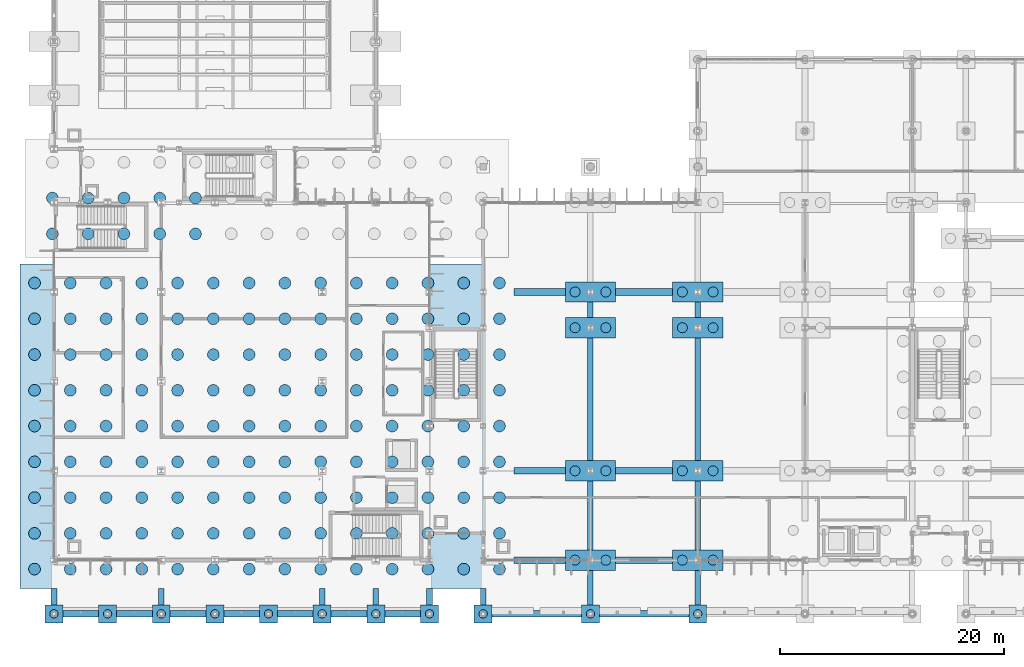
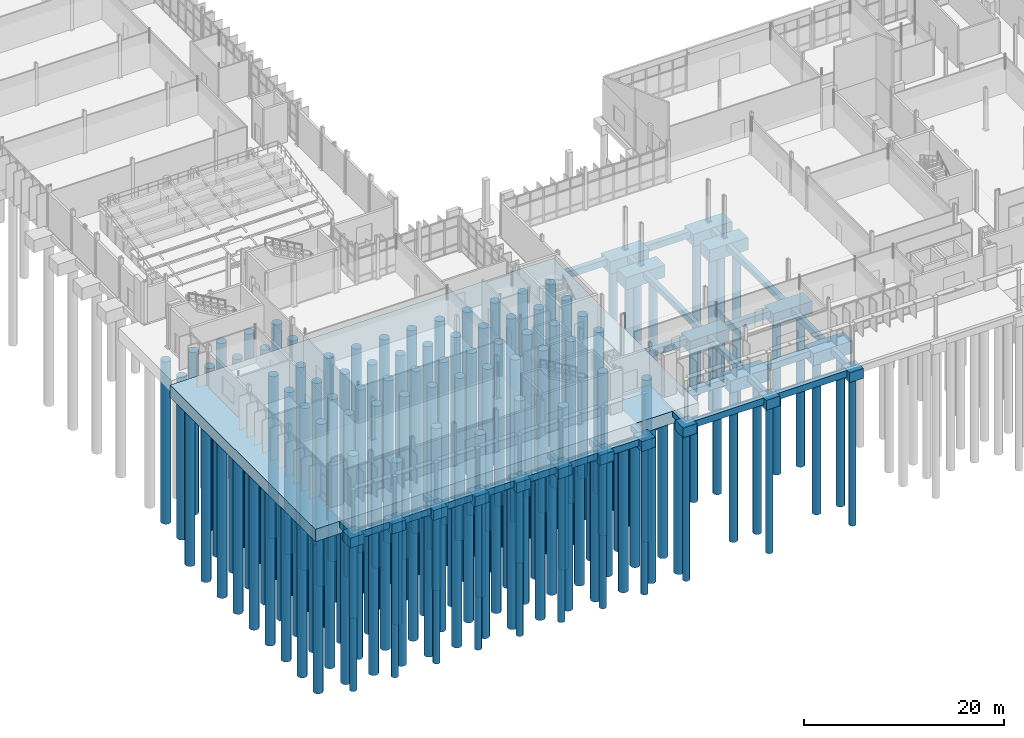
# One storey, part 1 of 111: 163 piles, 49 footings.
"""IFC4 building model written with IfcOpenShell, lengths in metres."""

from ifc_helpers import new_model, si_unit, direction, frame, origin, origin_2d, place, context, subcontext, project, spatial, rectangle, circle, extrude, material, material_profile, profile_set, type_object, element, save


model = new_model("IFC4")

# Units and contexts
model_context = context("Model", 3, precision=1e-05, world=origin(), true_north=direction((0.0, 1.0)))
body_context = subcontext(model_context, "Body", "Model", "MODEL_VIEW")
ifc_project = project(units=[si_unit("LENGTHUNIT", "METRE"), si_unit("AREAUNIT", "SQUARE_METRE"), si_unit("VOLUMEUNIT", "CUBIC_METRE"), si_unit("PLANEANGLEUNIT", "RADIAN"), si_unit("MASSUNIT", "GRAM", prefix="KILO")], contexts=[model_context])

# Site, building, storey
site_placement = place(None, origin())
site = spatial("IfcSite", under=ifc_project, at=site_placement, CompositionType="ELEMENT")
building_placement = place(site_placement, origin())
building = spatial("IfcBuilding", under=site, at=building_placement, Name="Dunescarp Central Library", CompositionType="ELEMENT")
storey_placement = place(building_placement, origin())
storey = spatial("IfcBuildingStorey", under=building, at=storey_placement, Name="L00", CompositionType="ELEMENT", Elevation=0.0)

# Footings
ifc_material_1 = material(Name="Concrete C35/45", Category="concrete")
footing_type_1 = type_object("IfcFootingType", Name="STR-GB-EW-3200", PredefinedType="FOOTING_BEAM", material=ifc_material_1)
for number, where, z_axis, x_axis, name in (
    (1, (2.39990234375, 0.0, -1.10009765625), (0.0, 0.0, 1.0), (1.0, 0.0, 0.0), "Ground tie beam GB-001"),
    (2, (7.199951171875, 0.0, -1.10009765625), (0.0, 0.0, 1.0), (1.0, 0.0, 0.0), "Ground tie beam GB-002"),
    (3, (12.0, 0.0, -1.10009765625), (0.0, 0.0, 1.0), (1.0, 0.0, 0.0), "Ground tie beam GB-003"),
    (4, (16.800048828125, 0.0, -1.10009765625), (0.0, 0.0, 1.0), (1.0, 0.0, 0.0), "Ground tie beam GB-004"),
    (5, (21.60009765625, 0.0, -1.10009765625), (0.0, 0.0, 1.0), (1.0, 0.0, 0.0), "Ground tie beam GB-005"),
    (6, (26.39990234375, 0.0, -1.10009765625), (0.0, 0.0, 1.0), (1.0, 0.0, 0.0), "Ground tie beam GB-006"),
    (7, (31.199951171875, 0.0, -1.10009765625), (0.0, 0.0, 1.0), (1.0, 0.0, 0.0), "Ground tie beam GB-007"),
):
    element("IfcFooting", number, at=place(storey_placement, frame(where, z_axis=z_axis, x_axis=x_axis)), inside=storey, type_object=footing_type_1, Name=name, PredefinedType="FOOTING_BEAM", context=body_context, shape_type="SweptSolid", body=[
        extrude(rectangle(XDim=3.199951171875, YDim=0.60009765625, at=origin_2d()), origin(), (0.0, 0.0, 1.0), 0.800048828125),
    ])
footing_type_2 = type_object("IfcFootingType", Name="STR-GB-EW-4590", PredefinedType="FOOTING_BEAM", material=ifc_material_1)
for number, where, z_axis, x_axis, name in (
    (8, (43.4560546875, 4.800048828125, -1.10009765625), (0.0, 0.0, 1.0), (1.0, 0.0, 0.0), "Ground tie beam GB-021"),
    (9, (43.4560546875, 12.800048828125, -1.10009765625), (0.0, 0.0, 1.0), (1.0, 0.0, 0.0), "Ground tie beam GB-032"),
    (10, (43.4560546875, 28.800048828125, -1.10009765625), (0.0, 0.0, 1.0), (1.0, 0.0, 0.0), "Ground tie beam GB-055"),
):
    element("IfcFooting", number, at=place(storey_placement, frame(where, z_axis=z_axis, x_axis=x_axis)), inside=storey, type_object=footing_type_2, Name=name, PredefinedType="FOOTING_BEAM", context=body_context, shape_type="SweptSolid", body=[
        extrude(rectangle(XDim=4.5869140625, YDim=0.60009765625, at=origin_2d()), origin(), (0.0, 0.0, 1.0), 0.800048828125),
    ])
footing_type_3 = type_object("IfcFootingType", Name="STR-GB-EW-5100", PredefinedType="FOOTING_BEAM", material=ifc_material_1)
for number, where, z_axis, x_axis, name in (
    (11, (52.800048828125, 4.800048828125, -1.10009765625), (0.0, 0.0, 1.0), (1.0, 0.0, 0.0), "Ground tie beam GB-022"),
    (12, (52.800048828125, 12.800048828125, -1.10009765625), (0.0, 0.0, 1.0), (1.0, 0.0, 0.0), "Ground tie beam GB-033"),
    (13, (52.800048828125, 28.800048828125, -1.10009765625), (0.0, 0.0, 1.0), (1.0, 0.0, 0.0), "Ground tie beam GB-056"),
):
    element("IfcFooting", number, at=place(storey_placement, frame(where, z_axis=z_axis, x_axis=x_axis)), inside=storey, type_object=footing_type_3, Name=name, PredefinedType="FOOTING_BEAM", context=body_context, shape_type="SweptSolid", body=[
        extrude(rectangle(XDim=5.10009765625, YDim=0.60009765625, at=origin_2d()), origin(), (0.0, 0.0, 1.0), 0.800048828125),
    ])
footing_type_4 = type_object("IfcFootingType", Name="STR-GB-EW-8000", PredefinedType="FOOTING_BEAM", material=ifc_material_1)
for number, where, z_axis, x_axis, name in (
    (14, (43.199951171875, 0.0, -1.10009765625), (0.0, 0.0, 1.0), (1.0, 0.0, 0.0), "Ground tie beam GB-008"),
    (15, (52.800048828125, 0.0, -1.10009765625), (0.0, 0.0, 1.0), (1.0, 0.0, 0.0), "Ground tie beam GB-009"),
):
    element("IfcFooting", number, at=place(storey_placement, frame(where, z_axis=z_axis, x_axis=x_axis)), inside=storey, type_object=footing_type_4, Name=name, PredefinedType="FOOTING_BEAM", context=body_context, shape_type="SweptSolid", body=[
        extrude(rectangle(XDim=8.0, YDim=0.60009765625, at=origin_2d()), origin(), (0.0, 0.0, 1.0), 0.800048828125),
    ])
footing_type_5 = type_object("IfcFootingType", Name="STR-GB-NS-11000", PredefinedType="FOOTING_BEAM", material=ifc_material_1)
for number, where, z_axis, x_axis, name in (
    (16, (48.0, 19.199951171875, -1.0), (0.0, 0.0, 1.0), (0.0, 1.0, 0.0), "Ground tie beam GB-129"),
    (17, (57.60009765625, 19.199951171875, -1.0), (0.0, 0.0, 1.0), (0.0, 1.0, 0.0), "Ground tie beam GB-134"),
):
    element("IfcFooting", number, at=place(storey_placement, frame(where, z_axis=z_axis, x_axis=x_axis)), inside=storey, type_object=footing_type_5, Name=name, PredefinedType="FOOTING_BEAM", context=body_context, shape_type="SweptSolid", body=[
        extrude(rectangle(XDim=11.0, YDim=0.5, at=origin_2d()), origin(), (0.0, 0.0, 1.0), 0.699951171875),
    ])
footing_type_6 = type_object("IfcFootingType", Name="STR-GB-NS-1400", PredefinedType="FOOTING_BEAM", material=ifc_material_1)
for number, where, z_axis, x_axis, name in (
    (18, (48.0, 27.199951171875, -1.0), (0.0, 0.0, 1.0), (0.0, 1.0, 0.0), "Ground tie beam GB-130"),
    (19, (57.60009765625, 27.199951171875, -1.0), (0.0, 0.0, 1.0), (0.0, 1.0, 0.0), "Ground tie beam GB-135"),
):
    element("IfcFooting", number, at=place(storey_placement, frame(where, z_axis=z_axis, x_axis=x_axis)), inside=storey, type_object=footing_type_6, Name=name, PredefinedType="FOOTING_BEAM", context=body_context, shape_type="SweptSolid", body=[
        extrude(rectangle(XDim=1.39990234375, YDim=0.5, at=origin_2d()), origin(), (0.0, 0.0, 1.0), 0.699951171875),
    ])
footing_type_7 = type_object("IfcFootingType", Name="STR-GB-NS-1480", PredefinedType="FOOTING_BEAM", material=ifc_material_1)
for number, where, z_axis, x_axis, name in (
    (20, (0.0, 1.5380859375, -1.0), (0.0, 0.0, 1.0), (0.0, 1.0, 0.0), "Ground tie beam GB-098"),
    (21, (9.60009765625, 1.5380859375, -1.0), (0.0, 0.0, 1.0), (0.0, 1.0, 0.0), "Ground tie beam GB-108"),
    (22, (24.0, 1.5380859375, -1.0), (0.0, 0.0, 1.0), (0.0, 1.0, 0.0), "Ground tie beam GB-114"),
    (23, (28.800048828125, 1.5380859375, -1.0), (0.0, 0.0, 1.0), (0.0, 1.0, 0.0), "Ground tie beam GB-117"),
    (24, (33.60009765625, 1.5380859375, -1.0), (0.0, 0.0, 1.0), (0.0, 1.0, 0.0), "Ground tie beam GB-125"),
    (25, (38.39990234375, 1.5380859375, -1.0), (0.0, 0.0, 1.0), (0.0, 1.0, 0.0), "Ground tie beam GB-126"),
):
    element("IfcFooting", number, at=place(storey_placement, frame(where, z_axis=z_axis, x_axis=x_axis)), inside=storey, type_object=footing_type_7, Name=name, PredefinedType="FOOTING_BEAM", context=body_context, shape_type="SweptSolid", body=[
        extrude(rectangle(XDim=1.47509765625, YDim=0.5, at=origin_2d()), origin(), (0.0, 0.0, 1.0), 0.699951171875),
    ])
footing_type_8 = type_object("IfcFootingType", Name="STR-GB-NS-3100", PredefinedType="FOOTING_BEAM", material=ifc_material_1)
for number, where, z_axis, x_axis, name in (
    (26, (48.0, 2.35009765625, -1.0), (0.0, 0.0, 1.0), (0.0, 1.0, 0.0), "Ground tie beam GB-127"),
    (27, (57.60009765625, 2.35009765625, -1.0), (0.0, 0.0, 1.0), (0.0, 1.0, 0.0), "Ground tie beam GB-132"),
):
    element("IfcFooting", number, at=place(storey_placement, frame(where, z_axis=z_axis, x_axis=x_axis)), inside=storey, type_object=footing_type_8, Name=name, PredefinedType="FOOTING_BEAM", context=body_context, shape_type="SweptSolid", body=[
        extrude(rectangle(XDim=3.10009765625, YDim=0.5, at=origin_2d()), origin(), (0.0, 0.0, 1.0), 0.699951171875),
    ])
footing_type_9 = type_object("IfcFootingType", Name="STR-GB-NS-6200", PredefinedType="FOOTING_BEAM", material=ifc_material_1)
for number, where, z_axis, x_axis, name in (
    (28, (48.0, 8.800048828125, -1.0), (0.0, 0.0, 1.0), (0.0, 1.0, 0.0), "Ground tie beam GB-128"),
    (29, (57.60009765625, 8.800048828125, -1.0), (0.0, 0.0, 1.0), (0.0, 1.0, 0.0), "Ground tie beam GB-133"),
):
    element("IfcFooting", number, at=place(storey_placement, frame(where, z_axis=z_axis, x_axis=x_axis)), inside=storey, type_object=footing_type_9, Name=name, PredefinedType="FOOTING_BEAM", context=body_context, shape_type="SweptSolid", body=[
        extrude(rectangle(XDim=6.199951171875, YDim=0.5, at=origin_2d()), origin(), (0.0, 0.0, 1.0), 0.699951171875),
    ])
ifc_material_2 = material(Name="Concrete C40/50", Category="concrete")
footing_type_10 = type_object("IfcFootingType", Name="STR-PC-1600X1600X1200", PredefinedType="PILE_CAP", material=ifc_material_2)
for number, where, z_axis, x_axis, name in (
    (30, (0.0, 0.0, -1.5), (0.0, 0.0, 1.0), (1.0, 0.0, 0.0), "Pile cap PC-001"),
    (31, (4.800048828125, 0.0, -1.5), (0.0, 0.0, 1.0), (1.0, 0.0, 0.0), "Pile cap PC-002"),
    (32, (9.60009765625, 0.0, -1.5), (0.0, 0.0, 1.0), (1.0, 0.0, 0.0), "Pile cap PC-003"),
    (33, (14.39990234375, 0.0, -1.5), (0.0, 0.0, 1.0), (1.0, 0.0, 0.0), "Pile cap PC-004"),
    (34, (19.199951171875, 0.0, -1.5), (0.0, 0.0, 1.0), (1.0, 0.0, 0.0), "Pile cap PC-005"),
    (35, (24.0, 0.0, -1.5), (0.0, 0.0, 1.0), (1.0, 0.0, 0.0), "Pile cap PC-006"),
    (36, (28.800048828125, 0.0, -1.5), (0.0, 0.0, 1.0), (1.0, 0.0, 0.0), "Pile cap PC-007"),
    (37, (33.60009765625, 0.0, -1.5), (0.0, 0.0, 1.0), (1.0, 0.0, 0.0), "Pile cap PC-008"),
    (38, (38.39990234375, 0.0, -1.5), (0.0, 0.0, 1.0), (1.0, 0.0, 0.0), "Pile cap PC-009"),
    (39, (48.0, 0.0, -1.5), (0.0, 0.0, 1.0), (1.0, 0.0, 0.0), "Pile cap PC-010"),
    (40, (57.60009765625, 0.0, -1.5), (0.0, 0.0, 1.0), (1.0, 0.0, 0.0), "Pile cap PC-011"),
):
    element("IfcFooting", number, at=place(storey_placement, frame(where, z_axis=z_axis, x_axis=x_axis)), inside=storey, type_object=footing_type_10, Name=name, PredefinedType="PILE_CAP", context=body_context, shape_type="SweptSolid", body=[
        extrude(rectangle(XDim=1.60009765625, YDim=1.60009765625, at=origin_2d()), origin(), (0.0, 0.0, 1.0), 1.199951171875),
    ])
footing_type_11 = type_object("IfcFootingType", Name="STR-PC-44201X29050X1500", PredefinedType="PILE_CAP", material=ifc_material_2)
footing_placement = place(storey_placement, frame((19.06201171875, 16.800048828125, -1.800048828125), z_axis=(0.0, 0.0, 1.0), x_axis=(1.0, 0.0, 0.0)))
element("IfcFooting", 41, at=footing_placement, inside=storey, type_object=footing_type_11, Name="Pile cap PC-025", PredefinedType="PILE_CAP", context=body_context, shape_type="SweptSolid", body=[
    extrude(rectangle(XDim=44.200927734375, YDim=29.050048828125, at=origin_2d()), origin(), (0.0, 0.0, 1.0), 1.5),
])
footing_type_12 = type_object("IfcFootingType", Name="STR-PC-4500X1800X1500", PredefinedType="PILE_CAP", material=ifc_material_2)
for number, where, z_axis, x_axis, name in (
    (42, (48.0, 4.800048828125, -1.800048828125), (0.0, 0.0, 1.0), (1.0, 0.0, 0.0), "Pile cap PC-026"),
    (43, (57.60009765625, 4.800048828125, -1.800048828125), (0.0, 0.0, 1.0), (1.0, 0.0, 0.0), "Pile cap PC-027"),
    (44, (48.0, 12.800048828125, -1.800048828125), (0.0, 0.0, 1.0), (1.0, 0.0, 0.0), "Pile cap PC-039"),
    (45, (57.60009765625, 12.800048828125, -1.800048828125), (0.0, 0.0, 1.0), (1.0, 0.0, 0.0), "Pile cap PC-040"),
    (46, (48.0, 25.60009765625, -1.800048828125), (0.0, 0.0, 1.0), (1.0, 0.0, 0.0), "Pile cap PC-063"),
    (47, (57.60009765625, 25.60009765625, -1.800048828125), (0.0, 0.0, 1.0), (1.0, 0.0, 0.0), "Pile cap PC-064"),
    (48, (48.0, 28.800048828125, -1.800048828125), (0.0, 0.0, 1.0), (1.0, 0.0, 0.0), "Pile cap PC-066"),
    (49, (57.60009765625, 28.800048828125, -1.800048828125), (0.0, 0.0, 1.0), (1.0, 0.0, 0.0), "Pile cap PC-067"),
):
    element("IfcFooting", number, at=place(storey_placement, frame(where, z_axis=z_axis, x_axis=x_axis)), inside=storey, type_object=footing_type_12, Name=name, PredefinedType="PILE_CAP", context=body_context, shape_type="SweptSolid", body=[
        extrude(rectangle(XDim=4.5, YDim=1.800048828125, at=origin_2d()), origin(), (0.0, 0.0, 1.0), 1.5),
    ])

# Piles
ifc_material_profile_1 = material_profile(ifc_material_2, circle(Radius=0.52490234375, at=origin_2d()), Name="PILE D1050")
ifc_profile_set_1 = profile_set([ifc_material_profile_1], Name="Concrete C40/50")
pile_type_1 = type_object("IfcPileType", Name="STR-PILE-D1050", PredefinedType="BORED", material=ifc_profile_set_1)
for number, where, z_axis, x_axis, name in (
    (50, (-1.738037109375, 4.0, -1.699951171875), (0.0, 0.0, -1.0), (1.0, 0.0, 0.0), "Bored pile BP-025-01"),
    (51, (-1.738037109375, 7.199951171875, -1.699951171875), (0.0, 0.0, -1.0), (1.0, 0.0, 0.0), "Bored pile BP-025-02"),
    (52, (-1.738037109375, 10.39990234375, -1.699951171875), (0.0, 0.0, -1.0), (1.0, 0.0, 0.0), "Bored pile BP-025-03"),
    (53, (-1.738037109375, 13.60009765625, -1.699951171875), (0.0, 0.0, -1.0), (1.0, 0.0, 0.0), "Bored pile BP-025-04"),
    (54, (-1.738037109375, 16.800048828125, -1.699951171875), (0.0, 0.0, -1.0), (1.0, 0.0, 0.0), "Bored pile BP-025-05"),
    (55, (-1.738037109375, 20.0, -1.699951171875), (0.0, 0.0, -1.0), (1.0, 0.0, 0.0), "Bored pile BP-025-06"),
    (56, (-1.738037109375, 23.199951171875, -1.699951171875), (0.0, 0.0, -1.0), (1.0, 0.0, 0.0), "Bored pile BP-025-07"),
    (57, (-1.738037109375, 26.39990234375, -1.699951171875), (0.0, 0.0, -1.0), (1.0, 0.0, 0.0), "Bored pile BP-025-08"),
    (58, (-1.738037109375, 29.60009765625, -1.699951171875), (0.0, 0.0, -1.0), (1.0, 0.0, 0.0), "Bored pile BP-025-09"),
    (59, (1.4619140625, 4.0, -1.699951171875), (0.0, 0.0, -1.0), (1.0, 0.0, 0.0), "Bored pile BP-025-10"),
    (60, (1.4619140625, 7.199951171875, -1.699951171875), (0.0, 0.0, -1.0), (1.0, 0.0, 0.0), "Bored pile BP-025-11"),
    (61, (1.4619140625, 10.39990234375, -1.699951171875), (0.0, 0.0, -1.0), (1.0, 0.0, 0.0), "Bored pile BP-025-12"),
    (62, (1.4619140625, 13.60009765625, -1.699951171875), (0.0, 0.0, -1.0), (1.0, 0.0, 0.0), "Bored pile BP-025-13"),
    (63, (1.4619140625, 16.800048828125, -1.699951171875), (0.0, 0.0, -1.0), (1.0, 0.0, 0.0), "Bored pile BP-025-14"),
    (64, (1.4619140625, 20.0, -1.699951171875), (0.0, 0.0, -1.0), (1.0, 0.0, 0.0), "Bored pile BP-025-15"),
    (65, (1.4619140625, 23.199951171875, -1.699951171875), (0.0, 0.0, -1.0), (1.0, 0.0, 0.0), "Bored pile BP-025-16"),
    (66, (1.4619140625, 26.39990234375, -1.699951171875), (0.0, 0.0, -1.0), (1.0, 0.0, 0.0), "Bored pile BP-025-17"),
    (67, (1.4619140625, 29.60009765625, -1.699951171875), (0.0, 0.0, -1.0), (1.0, 0.0, 0.0), "Bored pile BP-025-18"),
    (68, (4.662109375, 4.0, -1.699951171875), (0.0, 0.0, -1.0), (1.0, 0.0, 0.0), "Bored pile BP-025-19"),
    (69, (4.662109375, 7.199951171875, -1.699951171875), (0.0, 0.0, -1.0), (1.0, 0.0, 0.0), "Bored pile BP-025-20"),
    (70, (4.662109375, 10.39990234375, -1.699951171875), (0.0, 0.0, -1.0), (1.0, 0.0, 0.0), "Bored pile BP-025-21"),
    (71, (4.662109375, 13.60009765625, -1.699951171875), (0.0, 0.0, -1.0), (1.0, 0.0, 0.0), "Bored pile BP-025-22"),
    (72, (4.662109375, 16.800048828125, -1.699951171875), (0.0, 0.0, -1.0), (1.0, 0.0, 0.0), "Bored pile BP-025-23"),
    (73, (4.662109375, 20.0, -1.699951171875), (0.0, 0.0, -1.0), (1.0, 0.0, 0.0), "Bored pile BP-025-24"),
    (74, (4.662109375, 23.199951171875, -1.699951171875), (0.0, 0.0, -1.0), (1.0, 0.0, 0.0), "Bored pile BP-025-25"),
    (75, (4.662109375, 26.39990234375, -1.699951171875), (0.0, 0.0, -1.0), (1.0, 0.0, 0.0), "Bored pile BP-025-26"),
    (76, (4.662109375, 29.60009765625, -1.699951171875), (0.0, 0.0, -1.0), (1.0, 0.0, 0.0), "Bored pile BP-025-27"),
    (77, (7.862060546875, 4.0, -1.699951171875), (0.0, 0.0, -1.0), (1.0, 0.0, 0.0), "Bored pile BP-025-28"),
    (78, (7.862060546875, 7.199951171875, -1.699951171875), (0.0, 0.0, -1.0), (1.0, 0.0, 0.0), "Bored pile BP-025-29"),
    (79, (7.862060546875, 10.39990234375, -1.699951171875), (0.0, 0.0, -1.0), (1.0, 0.0, 0.0), "Bored pile BP-025-30"),
    (80, (7.862060546875, 13.60009765625, -1.699951171875), (0.0, 0.0, -1.0), (1.0, 0.0, 0.0), "Bored pile BP-025-31"),
    (81, (7.862060546875, 16.800048828125, -1.699951171875), (0.0, 0.0, -1.0), (1.0, 0.0, 0.0), "Bored pile BP-025-32"),
    (82, (7.862060546875, 20.0, -1.699951171875), (0.0, 0.0, -1.0), (1.0, 0.0, 0.0), "Bored pile BP-025-33"),
    (83, (7.862060546875, 23.199951171875, -1.699951171875), (0.0, 0.0, -1.0), (1.0, 0.0, 0.0), "Bored pile BP-025-34"),
    (84, (7.862060546875, 26.39990234375, -1.699951171875), (0.0, 0.0, -1.0), (1.0, 0.0, 0.0), "Bored pile BP-025-35"),
    (85, (7.862060546875, 29.60009765625, -1.699951171875), (0.0, 0.0, -1.0), (1.0, 0.0, 0.0), "Bored pile BP-025-36"),
    (86, (11.06201171875, 4.0, -1.699951171875), (0.0, 0.0, -1.0), (1.0, 0.0, 0.0), "Bored pile BP-025-37"),
    (87, (11.06201171875, 7.199951171875, -1.699951171875), (0.0, 0.0, -1.0), (1.0, 0.0, 0.0), "Bored pile BP-025-38"),
    (88, (11.06201171875, 10.39990234375, -1.699951171875), (0.0, 0.0, -1.0), (1.0, 0.0, 0.0), "Bored pile BP-025-39"),
    (89, (11.06201171875, 13.60009765625, -1.699951171875), (0.0, 0.0, -1.0), (1.0, 0.0, 0.0), "Bored pile BP-025-40"),
    (90, (11.06201171875, 16.800048828125, -1.699951171875), (0.0, 0.0, -1.0), (1.0, 0.0, 0.0), "Bored pile BP-025-41"),
    (91, (11.06201171875, 20.0, -1.699951171875), (0.0, 0.0, -1.0), (1.0, 0.0, 0.0), "Bored pile BP-025-42"),
    (92, (11.06201171875, 23.199951171875, -1.699951171875), (0.0, 0.0, -1.0), (1.0, 0.0, 0.0), "Bored pile BP-025-43"),
    (93, (11.06201171875, 26.39990234375, -1.699951171875), (0.0, 0.0, -1.0), (1.0, 0.0, 0.0), "Bored pile BP-025-44"),
    (94, (11.06201171875, 29.60009765625, -1.699951171875), (0.0, 0.0, -1.0), (1.0, 0.0, 0.0), "Bored pile BP-025-45"),
    (95, (14.261962890625, 4.0, -1.699951171875), (0.0, 0.0, -1.0), (1.0, 0.0, 0.0), "Bored pile BP-025-46"),
    (96, (14.261962890625, 7.199951171875, -1.699951171875), (0.0, 0.0, -1.0), (1.0, 0.0, 0.0), "Bored pile BP-025-47"),
    (97, (14.261962890625, 10.39990234375, -1.699951171875), (0.0, 0.0, -1.0), (1.0, 0.0, 0.0), "Bored pile BP-025-48"),
    (98, (14.261962890625, 13.60009765625, -1.699951171875), (0.0, 0.0, -1.0), (1.0, 0.0, 0.0), "Bored pile BP-025-49"),
    (99, (14.261962890625, 16.800048828125, -1.699951171875), (0.0, 0.0, -1.0), (1.0, 0.0, 0.0), "Bored pile BP-025-50"),
    (100, (14.261962890625, 20.0, -1.699951171875), (0.0, 0.0, -1.0), (1.0, 0.0, 0.0), "Bored pile BP-025-51"),
    (101, (14.261962890625, 23.199951171875, -1.699951171875), (0.0, 0.0, -1.0), (1.0, 0.0, 0.0), "Bored pile BP-025-52"),
    (102, (14.261962890625, 26.39990234375, -1.699951171875), (0.0, 0.0, -1.0), (1.0, 0.0, 0.0), "Bored pile BP-025-53"),
    (103, (14.261962890625, 29.60009765625, -1.699951171875), (0.0, 0.0, -1.0), (1.0, 0.0, 0.0), "Bored pile BP-025-54"),
    (104, (17.4619140625, 4.0, -1.699951171875), (0.0, 0.0, -1.0), (1.0, 0.0, 0.0), "Bored pile BP-025-55"),
    (105, (17.4619140625, 7.199951171875, -1.699951171875), (0.0, 0.0, -1.0), (1.0, 0.0, 0.0), "Bored pile BP-025-56"),
    (106, (17.4619140625, 10.39990234375, -1.699951171875), (0.0, 0.0, -1.0), (1.0, 0.0, 0.0), "Bored pile BP-025-57"),
    (107, (17.4619140625, 13.60009765625, -1.699951171875), (0.0, 0.0, -1.0), (1.0, 0.0, 0.0), "Bored pile BP-025-58"),
    (108, (17.4619140625, 16.800048828125, -1.699951171875), (0.0, 0.0, -1.0), (1.0, 0.0, 0.0), "Bored pile BP-025-59"),
    (109, (17.4619140625, 20.0, -1.699951171875), (0.0, 0.0, -1.0), (1.0, 0.0, 0.0), "Bored pile BP-025-60"),
    (110, (17.4619140625, 23.199951171875, -1.699951171875), (0.0, 0.0, -1.0), (1.0, 0.0, 0.0), "Bored pile BP-025-61"),
    (111, (17.4619140625, 26.39990234375, -1.699951171875), (0.0, 0.0, -1.0), (1.0, 0.0, 0.0), "Bored pile BP-025-62"),
    (112, (17.4619140625, 29.60009765625, -1.699951171875), (0.0, 0.0, -1.0), (1.0, 0.0, 0.0), "Bored pile BP-025-63"),
    (113, (20.662109375, 4.0, -1.699951171875), (0.0, 0.0, -1.0), (1.0, 0.0, 0.0), "Bored pile BP-025-64"),
    (114, (20.662109375, 7.199951171875, -1.699951171875), (0.0, 0.0, -1.0), (1.0, 0.0, 0.0), "Bored pile BP-025-65"),
    (115, (20.662109375, 10.39990234375, -1.699951171875), (0.0, 0.0, -1.0), (1.0, 0.0, 0.0), "Bored pile BP-025-66"),
    (116, (20.662109375, 13.60009765625, -1.699951171875), (0.0, 0.0, -1.0), (1.0, 0.0, 0.0), "Bored pile BP-025-67"),
    (117, (20.662109375, 16.800048828125, -1.699951171875), (0.0, 0.0, -1.0), (1.0, 0.0, 0.0), "Bored pile BP-025-68"),
    (118, (20.662109375, 20.0, -1.699951171875), (0.0, 0.0, -1.0), (1.0, 0.0, 0.0), "Bored pile BP-025-69"),
    (119, (20.662109375, 23.199951171875, -1.699951171875), (0.0, 0.0, -1.0), (1.0, 0.0, 0.0), "Bored pile BP-025-70"),
    (120, (20.662109375, 26.39990234375, -1.699951171875), (0.0, 0.0, -1.0), (1.0, 0.0, 0.0), "Bored pile BP-025-71"),
    (121, (20.662109375, 29.60009765625, -1.699951171875), (0.0, 0.0, -1.0), (1.0, 0.0, 0.0), "Bored pile BP-025-72"),
    (122, (23.862060546875, 4.0, -1.699951171875), (0.0, 0.0, -1.0), (1.0, 0.0, 0.0), "Bored pile BP-025-73"),
    (123, (23.862060546875, 7.199951171875, -1.699951171875), (0.0, 0.0, -1.0), (1.0, 0.0, 0.0), "Bored pile BP-025-74"),
    (124, (23.862060546875, 10.39990234375, -1.699951171875), (0.0, 0.0, -1.0), (1.0, 0.0, 0.0), "Bored pile BP-025-75"),
    (125, (23.862060546875, 13.60009765625, -1.699951171875), (0.0, 0.0, -1.0), (1.0, 0.0, 0.0), "Bored pile BP-025-76"),
    (126, (23.862060546875, 16.800048828125, -1.699951171875), (0.0, 0.0, -1.0), (1.0, 0.0, 0.0), "Bored pile BP-025-77"),
    (127, (23.862060546875, 20.0, -1.699951171875), (0.0, 0.0, -1.0), (1.0, 0.0, 0.0), "Bored pile BP-025-78"),
    (128, (23.862060546875, 23.199951171875, -1.699951171875), (0.0, 0.0, -1.0), (1.0, 0.0, 0.0), "Bored pile BP-025-79"),
    (129, (23.862060546875, 26.39990234375, -1.699951171875), (0.0, 0.0, -1.0), (1.0, 0.0, 0.0), "Bored pile BP-025-80"),
    (130, (23.862060546875, 29.60009765625, -1.699951171875), (0.0, 0.0, -1.0), (1.0, 0.0, 0.0), "Bored pile BP-025-81"),
    (131, (27.06201171875, 4.0, -1.699951171875), (0.0, 0.0, -1.0), (1.0, 0.0, 0.0), "Bored pile BP-025-82"),
    (132, (27.06201171875, 7.199951171875, -1.699951171875), (0.0, 0.0, -1.0), (1.0, 0.0, 0.0), "Bored pile BP-025-83"),
    (133, (27.06201171875, 10.39990234375, -1.699951171875), (0.0, 0.0, -1.0), (1.0, 0.0, 0.0), "Bored pile BP-025-84"),
    (134, (27.06201171875, 13.60009765625, -1.699951171875), (0.0, 0.0, -1.0), (1.0, 0.0, 0.0), "Bored pile BP-025-85"),
    (135, (27.06201171875, 16.800048828125, -1.699951171875), (0.0, 0.0, -1.0), (1.0, 0.0, 0.0), "Bored pile BP-025-86"),
    (136, (27.06201171875, 20.0, -1.699951171875), (0.0, 0.0, -1.0), (1.0, 0.0, 0.0), "Bored pile BP-025-87"),
    (137, (27.06201171875, 23.199951171875, -1.699951171875), (0.0, 0.0, -1.0), (1.0, 0.0, 0.0), "Bored pile BP-025-88"),
    (138, (27.06201171875, 26.39990234375, -1.699951171875), (0.0, 0.0, -1.0), (1.0, 0.0, 0.0), "Bored pile BP-025-89"),
    (139, (27.06201171875, 29.60009765625, -1.699951171875), (0.0, 0.0, -1.0), (1.0, 0.0, 0.0), "Bored pile BP-025-90"),
    (140, (30.261962890625, 4.0, -1.699951171875), (0.0, 0.0, -1.0), (1.0, 0.0, 0.0), "Bored pile BP-025-91"),
    (141, (30.261962890625, 7.199951171875, -1.699951171875), (0.0, 0.0, -1.0), (1.0, 0.0, 0.0), "Bored pile BP-025-92"),
    (142, (30.261962890625, 10.39990234375, -1.699951171875), (0.0, 0.0, -1.0), (1.0, 0.0, 0.0), "Bored pile BP-025-93"),
    (143, (30.261962890625, 13.60009765625, -1.699951171875), (0.0, 0.0, -1.0), (1.0, 0.0, 0.0), "Bored pile BP-025-94"),
    (144, (30.261962890625, 16.800048828125, -1.699951171875), (0.0, 0.0, -1.0), (1.0, 0.0, 0.0), "Bored pile BP-025-95"),
    (145, (30.261962890625, 20.0, -1.699951171875), (0.0, 0.0, -1.0), (1.0, 0.0, 0.0), "Bored pile BP-025-96"),
    (146, (30.261962890625, 23.199951171875, -1.699951171875), (0.0, 0.0, -1.0), (1.0, 0.0, 0.0), "Bored pile BP-025-97"),
    (147, (30.261962890625, 26.39990234375, -1.699951171875), (0.0, 0.0, -1.0), (1.0, 0.0, 0.0), "Bored pile BP-025-98"),
    (148, (30.261962890625, 29.60009765625, -1.699951171875), (0.0, 0.0, -1.0), (1.0, 0.0, 0.0), "Bored pile BP-025-99"),
    (149, (33.4619140625, 4.0, -1.699951171875), (0.0, 0.0, -1.0), (1.0, 0.0, 0.0), "Bored pile BP-025-100"),
    (150, (33.4619140625, 7.199951171875, -1.699951171875), (0.0, 0.0, -1.0), (1.0, 0.0, 0.0), "Bored pile BP-025-101"),
    (151, (33.4619140625, 10.39990234375, -1.699951171875), (0.0, 0.0, -1.0), (1.0, 0.0, 0.0), "Bored pile BP-025-102"),
    (152, (33.4619140625, 13.60009765625, -1.699951171875), (0.0, 0.0, -1.0), (1.0, 0.0, 0.0), "Bored pile BP-025-103"),
    (153, (33.4619140625, 16.800048828125, -1.699951171875), (0.0, 0.0, -1.0), (1.0, 0.0, 0.0), "Bored pile BP-025-104"),
    (154, (33.4619140625, 20.0, -1.699951171875), (0.0, 0.0, -1.0), (1.0, 0.0, 0.0), "Bored pile BP-025-105"),
    (155, (33.4619140625, 23.199951171875, -1.699951171875), (0.0, 0.0, -1.0), (1.0, 0.0, 0.0), "Bored pile BP-025-106"),
    (156, (33.4619140625, 26.39990234375, -1.699951171875), (0.0, 0.0, -1.0), (1.0, 0.0, 0.0), "Bored pile BP-025-107"),
    (157, (33.4619140625, 29.60009765625, -1.699951171875), (0.0, 0.0, -1.0), (1.0, 0.0, 0.0), "Bored pile BP-025-108"),
    (158, (36.662109375, 4.0, -1.699951171875), (0.0, 0.0, -1.0), (1.0, 0.0, 0.0), "Bored pile BP-025-109"),
    (159, (36.662109375, 7.199951171875, -1.699951171875), (0.0, 0.0, -1.0), (1.0, 0.0, 0.0), "Bored pile BP-025-110"),
    (160, (36.662109375, 10.39990234375, -1.699951171875), (0.0, 0.0, -1.0), (1.0, 0.0, 0.0), "Bored pile BP-025-111"),
    (161, (36.662109375, 13.60009765625, -1.699951171875), (0.0, 0.0, -1.0), (1.0, 0.0, 0.0), "Bored pile BP-025-112"),
    (162, (36.662109375, 16.800048828125, -1.699951171875), (0.0, 0.0, -1.0), (1.0, 0.0, 0.0), "Bored pile BP-025-113"),
    (163, (36.662109375, 20.0, -1.699951171875), (0.0, 0.0, -1.0), (1.0, 0.0, 0.0), "Bored pile BP-025-114"),
    (164, (36.662109375, 23.199951171875, -1.699951171875), (0.0, 0.0, -1.0), (1.0, 0.0, 0.0), "Bored pile BP-025-115"),
    (165, (36.662109375, 26.39990234375, -1.699951171875), (0.0, 0.0, -1.0), (1.0, 0.0, 0.0), "Bored pile BP-025-116"),
    (166, (36.662109375, 29.60009765625, -1.699951171875), (0.0, 0.0, -1.0), (1.0, 0.0, 0.0), "Bored pile BP-025-117"),
    (167, (39.862060546875, 4.0, -1.699951171875), (0.0, 0.0, -1.0), (1.0, 0.0, 0.0), "Bored pile BP-025-118"),
    (168, (39.862060546875, 7.199951171875, -1.699951171875), (0.0, 0.0, -1.0), (1.0, 0.0, 0.0), "Bored pile BP-025-119"),
    (169, (39.862060546875, 10.39990234375, -1.699951171875), (0.0, 0.0, -1.0), (1.0, 0.0, 0.0), "Bored pile BP-025-120"),
    (170, (39.862060546875, 13.60009765625, -1.699951171875), (0.0, 0.0, -1.0), (1.0, 0.0, 0.0), "Bored pile BP-025-121"),
    (171, (39.862060546875, 16.800048828125, -1.699951171875), (0.0, 0.0, -1.0), (1.0, 0.0, 0.0), "Bored pile BP-025-122"),
    (172, (39.862060546875, 20.0, -1.699951171875), (0.0, 0.0, -1.0), (1.0, 0.0, 0.0), "Bored pile BP-025-123"),
    (173, (39.862060546875, 23.199951171875, -1.699951171875), (0.0, 0.0, -1.0), (1.0, 0.0, 0.0), "Bored pile BP-025-124"),
    (174, (39.862060546875, 26.39990234375, -1.699951171875), (0.0, 0.0, -1.0), (1.0, 0.0, 0.0), "Bored pile BP-025-125"),
    (175, (39.862060546875, 29.60009765625, -1.699951171875), (0.0, 0.0, -1.0), (1.0, 0.0, 0.0), "Bored pile BP-025-126"),
    (176, (-0.137939453125, 34.0, -1.699951171875), (0.0, 0.0, -1.0), (1.0, 0.0, 0.0), "Bored pile BP-080-01"),
    (177, (-0.137939453125, 37.199951171875, -1.699951171875), (0.0, 0.0, -1.0), (1.0, 0.0, 0.0), "Bored pile BP-080-02"),
    (178, (3.06201171875, 34.0, -1.699951171875), (0.0, 0.0, -1.0), (1.0, 0.0, 0.0), "Bored pile BP-080-04"),
    (179, (3.06201171875, 37.199951171875, -1.699951171875), (0.0, 0.0, -1.0), (1.0, 0.0, 0.0), "Bored pile BP-080-05"),
    (180, (6.261962890625, 34.0, -1.699951171875), (0.0, 0.0, -1.0), (1.0, 0.0, 0.0), "Bored pile BP-080-07"),
    (181, (6.261962890625, 37.199951171875, -1.699951171875), (0.0, 0.0, -1.0), (1.0, 0.0, 0.0), "Bored pile BP-080-08"),
    (182, (9.4619140625, 34.0, -1.699951171875), (0.0, 0.0, -1.0), (1.0, 0.0, 0.0), "Bored pile BP-080-10"),
    (183, (9.4619140625, 37.199951171875, -1.699951171875), (0.0, 0.0, -1.0), (1.0, 0.0, 0.0), "Bored pile BP-080-11"),
    (184, (12.662109375, 34.0, -1.699951171875), (0.0, 0.0, -1.0), (1.0, 0.0, 0.0), "Bored pile BP-080-13"),
    (185, (12.662109375, 37.199951171875, -1.699951171875), (0.0, 0.0, -1.0), (1.0, 0.0, 0.0), "Bored pile BP-080-14"),
):
    element("IfcPile", number, at=place(storey_placement, frame(where, z_axis=z_axis, x_axis=x_axis)), inside=storey, type_object=pile_type_1, Name=name, PredefinedType="BORED", context=body_context, shape_type="SweptSolid", body=[
        extrude(circle(Radius=0.52490234375, at=origin_2d()), origin(), (0.0, 0.0, 1.0), 19.800048828125),
    ])
ifc_material_profile_2 = material_profile(ifc_material_2, circle(Radius=0.375, at=origin_2d()), Name="PILE D750")
ifc_profile_set_2 = profile_set([ifc_material_profile_2], Name="Concrete C40/50")
pile_type_2 = type_object("IfcPileType", Name="STR-PILE-D750", PredefinedType="BORED", material=ifc_profile_set_2)
for number, where, z_axis, x_axis, name in (
    (186, (0.0, 0.0, -1.39990234375), (0.0, 0.0, -1.0), (1.0, 0.0, 0.0), "Bored pile BP-001-01"),
    (187, (4.800048828125, 0.0, -1.39990234375), (0.0, 0.0, -1.0), (1.0, 0.0, 0.0), "Bored pile BP-002-01"),
    (188, (9.60009765625, 0.0, -1.39990234375), (0.0, 0.0, -1.0), (1.0, 0.0, 0.0), "Bored pile BP-003-01"),
    (189, (14.39990234375, 0.0, -1.39990234375), (0.0, 0.0, -1.0), (1.0, 0.0, 0.0), "Bored pile BP-004-01"),
    (190, (19.199951171875, 0.0, -1.39990234375), (0.0, 0.0, -1.0), (1.0, 0.0, 0.0), "Bored pile BP-005-01"),
    (191, (24.0, 0.0, -1.39990234375), (0.0, 0.0, -1.0), (1.0, 0.0, 0.0), "Bored pile BP-006-01"),
    (192, (28.800048828125, 0.0, -1.39990234375), (0.0, 0.0, -1.0), (1.0, 0.0, 0.0), "Bored pile BP-007-01"),
    (193, (33.60009765625, 0.0, -1.39990234375), (0.0, 0.0, -1.0), (1.0, 0.0, 0.0), "Bored pile BP-008-01"),
    (194, (38.39990234375, 0.0, -1.39990234375), (0.0, 0.0, -1.0), (1.0, 0.0, 0.0), "Bored pile BP-009-01"),
    (195, (48.0, 0.0, -1.39990234375), (0.0, 0.0, -1.0), (1.0, 0.0, 0.0), "Bored pile BP-010-01"),
    (196, (57.60009765625, 0.0, -1.39990234375), (0.0, 0.0, -1.0), (1.0, 0.0, 0.0), "Bored pile BP-011-01"),
):
    element("IfcPile", number, at=place(storey_placement, frame(where, z_axis=z_axis, x_axis=x_axis)), inside=storey, type_object=pile_type_2, Name=name, PredefinedType="BORED", context=body_context, shape_type="SweptSolid", body=[
        extrude(circle(Radius=0.375, at=origin_2d()), origin(), (0.0, 0.0, 1.0), 18.10009765625),
    ])
ifc_material_profile_3 = material_profile(ifc_material_2, circle(Radius=0.449951171875, at=origin_2d()), Name="PILE D900")
ifc_profile_set_3 = profile_set([ifc_material_profile_3], Name="Concrete C40/50")
pile_type_3 = type_object("IfcPileType", Name="STR-PILE-D900", PredefinedType="BORED", material=ifc_profile_set_3)
for number, where, z_axis, x_axis, name in (
    (197, (46.625, 4.800048828125, -1.699951171875), (0.0, 0.0, -1.0), (1.0, 0.0, 0.0), "Bored pile BP-026-01"),
    (198, (49.375, 4.800048828125, -1.699951171875), (0.0, 0.0, -1.0), (1.0, 0.0, 0.0), "Bored pile BP-026-02"),
    (199, (56.22509765625, 4.800048828125, -1.699951171875), (0.0, 0.0, -1.0), (1.0, 0.0, 0.0), "Bored pile BP-027-01"),
    (200, (58.97509765625, 4.800048828125, -1.699951171875), (0.0, 0.0, -1.0), (1.0, 0.0, 0.0), "Bored pile BP-027-02"),
    (201, (46.625, 12.800048828125, -1.699951171875), (0.0, 0.0, -1.0), (1.0, 0.0, 0.0), "Bored pile BP-039-01"),
    (202, (49.375, 12.800048828125, -1.699951171875), (0.0, 0.0, -1.0), (1.0, 0.0, 0.0), "Bored pile BP-039-02"),
    (203, (56.22509765625, 12.800048828125, -1.699951171875), (0.0, 0.0, -1.0), (1.0, 0.0, 0.0), "Bored pile BP-040-01"),
    (204, (58.97509765625, 12.800048828125, -1.699951171875), (0.0, 0.0, -1.0), (1.0, 0.0, 0.0), "Bored pile BP-040-02"),
    (205, (46.625, 25.60009765625, -1.699951171875), (0.0, 0.0, -1.0), (1.0, 0.0, 0.0), "Bored pile BP-063-01"),
    (206, (49.375, 25.60009765625, -1.699951171875), (0.0, 0.0, -1.0), (1.0, 0.0, 0.0), "Bored pile BP-063-02"),
    (207, (56.22509765625, 25.60009765625, -1.699951171875), (0.0, 0.0, -1.0), (1.0, 0.0, 0.0), "Bored pile BP-064-01"),
    (208, (58.97509765625, 25.60009765625, -1.699951171875), (0.0, 0.0, -1.0), (1.0, 0.0, 0.0), "Bored pile BP-064-02"),
    (209, (46.625, 28.800048828125, -1.699951171875), (0.0, 0.0, -1.0), (1.0, 0.0, 0.0), "Bored pile BP-066-01"),
    (210, (49.375, 28.800048828125, -1.699951171875), (0.0, 0.0, -1.0), (1.0, 0.0, 0.0), "Bored pile BP-066-02"),
    (211, (56.22509765625, 28.800048828125, -1.699951171875), (0.0, 0.0, -1.0), (1.0, 0.0, 0.0), "Bored pile BP-067-01"),
    (212, (58.97509765625, 28.800048828125, -1.699951171875), (0.0, 0.0, -1.0), (1.0, 0.0, 0.0), "Bored pile BP-067-02"),
):
    element("IfcPile", number, at=place(storey_placement, frame(where, z_axis=z_axis, x_axis=x_axis)), inside=storey, type_object=pile_type_3, Name=name, PredefinedType="BORED", context=body_context, shape_type="SweptSolid", body=[
        extrude(circle(Radius=0.449951171875, at=origin_2d()), origin(), (0.0, 0.0, 1.0), 18.800048828125),
    ])

save(model, "model.ifc")
